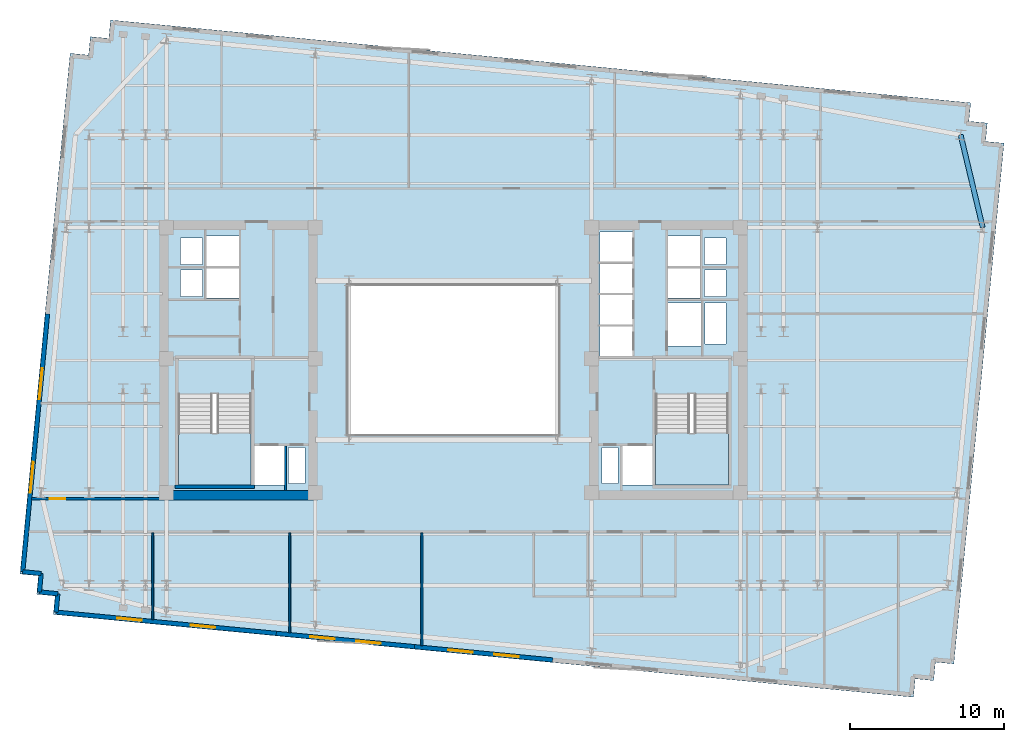
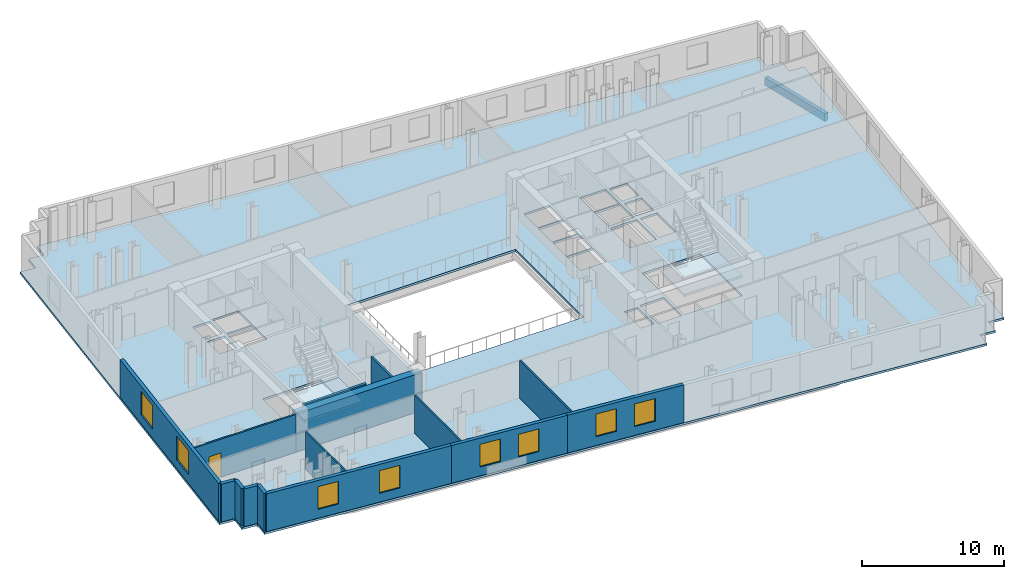
# One storey, part 3 of 9: 15 walls, 8 windows, 3 slabs, 1 beam, 1 door, 9 openings, 2 elements without a shape of their own.
"""IFC4 building model written with IfcOpenShell, lengths in metres."""

from ifc_helpers import new_model, si_unit, direction, frame, frame_2d, origin, origin_2d, place, context, subcontext, project, spatial, polyline, rectangle, outline, extrude, material, layer, layer_set, material_profile, profile_set, type_object, element, fill, aggregate, save


model = new_model("IFC4")

# Units and contexts
model_context = context("Model", 3, precision=1e-05, world=origin(), true_north=direction((0.0, 1.0)))
body_context = subcontext(model_context, "Body", "Model", "MODEL_VIEW")
ifc_project = project(units=[si_unit("LENGTHUNIT", "METRE"), si_unit("AREAUNIT", "SQUARE_METRE"), si_unit("VOLUMEUNIT", "CUBIC_METRE"), si_unit("PLANEANGLEUNIT", "RADIAN"), si_unit("MASSUNIT", "GRAM", prefix="KILO")], contexts=[model_context])

# Site, building, storey
site_placement = place(None, origin())
site = spatial("IfcSite", under=ifc_project, at=site_placement, CompositionType="ELEMENT")
building_placement = place(site_placement, origin())
building = spatial("IfcBuilding", under=site, at=building_placement, Name="Velakula Bourse", CompositionType="ELEMENT")
storey_placement = place(building_placement, frame((0.0, 0.0, 170.75)))
storey = spatial("IfcBuildingStorey", under=building, at=storey_placement, Name="L46", CompositionType="ELEMENT", Elevation=170.75)

# Beam
ifc_material_1 = material(Name="Precast concrete M45 (fck 45 MPa)", Category="concrete")
ifc_material_profile = material_profile(ifc_material_1, rectangle(XDim=0.320068359375, YDim=0.679931640625, at=origin_2d()), Name="Precast concrete M45 (fck 45 MPa)")
ifc_profile_set = profile_set([ifc_material_profile], Name="Precast concrete M45 (fck 45 MPa)")
beam_type = type_object("IfcBeamType", Name="SPN-BRICK-680", PredefinedType="SPANDREL", material=ifc_profile_set)
beam_placement = place(storey_placement, frame((34.30517578125, 8.60009765625, -0.52001953125), z_axis=(-0.232091371601, 0.972693988482, 0.0), x_axis=(-0.972693988482, -0.232091371601, 0.0)))
element("IfcBeam", 1, at=beam_placement, inside=storey, type_object=beam_type, Name="L46 Brick-Faced Precast Spandrel E3-E4", PredefinedType="SPANDREL", context=body_context, shape_type="SweptSolid", body=[
    extrude(rectangle(XDim=0.320068359375, YDim=0.679931640625, at=origin_2d()), origin(), (0.0, 0.0, 1.0), 6.16845703125),
])

# Stair, slab
ifc_material_2 = material(Name="Concrete M45 (fck 45 MPa)", Category="concrete")
stair_type = type_object("IfcStairType", Name="STR-DOG-390", PredefinedType="HALF_TURN_STAIR", material=ifc_material_2)
stair_1_placement = place(storey_placement, origin())
stair_1 = element("IfcStair", 2, at=stair_1_placement, inside=storey, type_object=stair_type, Name="L46 West Core Exit Stair ST-W1", PredefinedType="HALF_TURN_STAIR")
ifc_layer_1 = layer(ifc_material_2, 0.199951171875, Name="Concrete M45 (fck 45 MPa)", Category="concrete")
ifc_layer_set_1 = layer_set([ifc_layer_1], Name="Concrete M45 (fck 45 MPa)")
slab_type_1 = type_object("IfcSlabType", Name="SLB-STAIR-LND-200", PredefinedType="LANDING", material=ifc_layer_set_1)
slab_1_placement = place(storey_placement, frame((0.0, 0.0, 1.52490234375)))
slab_1 = element("IfcSlab", 3, at=slab_1_placement, type_object=slab_type_1, Name="ST-W1 landing 1", PredefinedType="LANDING", context=body_context, shape_type="SweptSolid", body=[
    extrude(outline(polyline([(-17.820068359375, -4.719970703125), (-17.820068359375, -8.10009765625), (-13.10009765625, -8.10009765625), (-13.10009765625, -4.719970703125), (-17.820068359375, -4.719970703125)])), origin(), (0.0, 0.0, 1.0), 0.2001953125),
])
aggregate(stair_1, [slab_1])

stair_2_placement = place(storey_placement, origin())
stair_2 = element("IfcStair", 4, at=stair_2_placement, inside=storey, type_object=stair_type, Name="L46 East Core Exit Stair ST-E1", PredefinedType="HALF_TURN_STAIR")
slab_2_placement = place(storey_placement, frame((0.0, 0.0, 1.52490234375)))
slab_2 = element("IfcSlab", 5, at=slab_2_placement, type_object=slab_type_1, Name="ST-E1 landing 1", PredefinedType="LANDING", context=body_context, shape_type="SweptSolid", body=[
    extrude(outline(polyline([(13.10009765625, -4.719970703125), (13.10009765625, -8.10009765625), (17.820068359375, -8.10009765625), (17.820068359375, -4.719970703125), (13.10009765625, -4.719970703125)])), origin(), (0.0, 0.0, 1.0), 0.2001953125),
])
aggregate(stair_2, [slab_2])

# Slab
ifc_material_3 = material(Name="Concrete M50 (fck 50 MPa)", Category="concrete")
ifc_layer_2 = layer(ifc_material_3, 0.179931640625, Name="Concrete M50 (fck 50 MPa)", Category="concrete")
ifc_layer_set_2 = layer_set([ifc_layer_2], Name="Concrete M50 (fck 50 MPa)")
slab_type_2 = type_object("IfcSlabType", Name="SLB-TWR-180", PredefinedType="FLOOR", material=ifc_layer_set_2)
slab_3_placement = place(storey_placement, frame((0.0, 0.0, -0.179931640625)))
element("IfcSlab", 6, at=slab_3_placement, inside=storey, type_object=slab_type_2, Name="L46 Suspended Structural Floor Slab", PredefinedType="FLOOR", context=body_context, shape_type="SweptSolid", body=[
    extrude(outline(polyline([(-25.92578125, -16.477294921875), (29.81640625, -21.844482421875), (29.931396484375, -20.650146484375), (31.1259765625, -20.76513671875), (31.240966796875, -19.570556640625), (32.435546875, -19.685791015625), (35.6845703125, 14.058349609375), (34.490234375, 14.17333984375), (34.605224609375, 15.36767578125), (33.41064453125, 15.482666015625), (33.525634765625, 16.67724609375), (-22.216552734375, 22.044677734375), (-22.33154296875, 20.85009765625), (-23.52587890625, 20.965087890625), (-23.640869140625, 19.770751953125), (-24.83544921875, 19.8857421875), (-28.084716796875, -13.858154296875), (-26.89013671875, -13.973388671875), (-27.005126953125, -15.167724609375), (-25.810791015625, -15.28271484375), (-25.92578125, -16.477294921875)]), holes=[polyline([(-17.820068359375, -8.10009765625), (-13.10009765625, -8.10009765625), (-13.10009765625, -2.199951171875), (-17.820068359375, -2.199951171875), (-17.820068359375, -8.10009765625)]), polyline([(13.10009765625, -8.10009765625), (17.820068359375, -8.10009765625), (17.820068359375, -2.199951171875), (13.10009765625, -2.199951171875), (13.10009765625, -8.10009765625)]), polyline([(-12.89990234375, -8.10009765625), (-10.949951171875, -8.10009765625), (-10.949951171875, -5.550048828125), (-12.89990234375, -5.550048828125), (-12.89990234375, -8.10009765625)]), polyline([(10.949951171875, -8.10009765625), (12.89990234375, -8.10009765625), (12.89990234375, -5.550048828125), (10.949951171875, -5.550048828125), (10.949951171875, -8.10009765625)]), polyline([(13.89990234375, 0.919921875), (16.050048828125, 0.919921875), (16.050048828125, 3.719970703125), (13.89990234375, 3.719970703125), (13.89990234375, 0.919921875)]), polyline([(-10.679931640625, -7.97998046875), (-9.6201171875, -7.97998046875), (-9.6201171875, -5.669921875), (-10.679931640625, -5.669921875), (-10.679931640625, -7.97998046875)]), polyline([(-17.679931640625, 4.139892578125), (-16.27001953125, 4.139892578125), (-16.27001953125, 5.85009765625), (-17.679931640625, 5.85009765625), (-17.679931640625, 4.139892578125)]), polyline([(-17.679931640625, 6.2099609375), (-16.27001953125, 6.2099609375), (-16.27001953125, 7.919921875), (-17.679931640625, 7.919921875), (-17.679931640625, 6.2099609375)]), polyline([(9.6201171875, -7.97998046875), (10.679931640625, -7.97998046875), (10.679931640625, -5.669921875), (9.6201171875, -5.669921875), (9.6201171875, -7.97998046875)]), polyline([(16.27001953125, 4.139892578125), (17.679931640625, 4.139892578125), (17.679931640625, 5.85009765625), (16.27001953125, 5.85009765625), (16.27001953125, 4.139892578125)]), polyline([(16.27001953125, 6.2099609375), (17.679931640625, 6.2099609375), (17.679931640625, 7.919921875), (16.27001953125, 7.919921875), (16.27001953125, 6.2099609375)]), polyline([(16.320068359375, 1.0400390625), (17.679931640625, 1.0400390625), (17.679931640625, 3.699951171875), (16.320068359375, 3.699951171875), (16.320068359375, 1.0400390625)]), polyline([(9.5, 0.280029296875), (11.60009765625, 0.280029296875), (11.60009765625, 2.199951171875), (9.5, 2.199951171875), (9.5, 0.280029296875)]), polyline([(9.5, 2.31005859375), (11.60009765625, 2.31005859375), (11.60009765625, 4.22998046875), (9.5, 4.22998046875), (9.5, 2.31005859375)]), polyline([(9.5, 4.340087890625), (11.60009765625, 4.340087890625), (11.60009765625, 6.260009765625), (9.5, 6.260009765625), (9.5, 4.340087890625)]), polyline([(9.5, 6.3701171875), (11.60009765625, 6.3701171875), (11.60009765625, 8.2900390625), (9.5, 8.2900390625), (9.5, 6.3701171875)]), polyline([(-16.0, 4.02001953125), (-13.89990234375, 4.02001953125), (-13.89990234375, 5.969970703125), (-16.0, 5.969970703125), (-16.0, 4.02001953125)]), polyline([(-16.0, 6.090087890625), (-13.89990234375, 6.090087890625), (-13.89990234375, 8.0400390625), (-16.0, 8.0400390625), (-16.0, 6.090087890625)]), polyline([(13.89990234375, 4.02001953125), (16.0, 4.02001953125), (16.0, 5.969970703125), (13.89990234375, 5.969970703125), (13.89990234375, 4.02001953125)]), polyline([(13.89990234375, 6.090087890625), (16.0, 6.090087890625), (16.0, 8.0400390625), (13.89990234375, 8.0400390625), (13.89990234375, 6.090087890625)]), polyline([(-6.800048828125, -4.800048828125), (6.800048828125, -4.800048828125), (6.800048828125, 4.800048828125), (-6.800048828125, 4.800048828125), (-6.800048828125, -4.800048828125)])]), origin(), (0.0, 0.0, 1.0), 0.179931640625),
])

# Walls
ifc_layer_3 = layer(ifc_material_3, 0.2099609375, Name="Concrete M50 (fck 50 MPa)", Category="concrete")
ifc_layer_set_3 = layer_set([ifc_layer_3], Name="Concrete M50 (fck 50 MPa)")
wall_type_1 = type_object("IfcWallType", Name="WL-CORE-210", PredefinedType="SHEAR", material=ifc_layer_set_3)
wall_1_placement = place(storey_placement, frame((-18.030029296875, -8.205078125, 0.0), z_axis=(0.0, 0.0, 1.0), x_axis=(1.0, 0.0, 0.0)))
element("IfcWall", 7, at=wall_1_placement, inside=storey, type_object=wall_type_1, Name="L46 Core W Stairwell Shear Wall S", PredefinedType="SHEAR", context=body_context, shape_type="SweptSolid", body=[
    extrude(rectangle(XDim=5.14013671875, YDim=0.2099609375, at=frame_2d((2.570068359375, 0.0))), origin(), (0.0, 0.0, 1.0), 3.27001953125),
])
ifc_material_4 = material(Name="Concrete M70 (fck 70 MPa)", Category="concrete")
ifc_layer_4 = layer(ifc_material_4, 0.60009765625, Name="Concrete M70 (fck 70 MPa)", Category="concrete")
ifc_layer_set_4 = layer_set([ifc_layer_4], Name="Concrete M70 (fck 70 MPa)")
wall_type_2 = type_object("IfcWallType", Name="WL-CORE-600", PredefinedType="SHEAR", material=ifc_layer_set_4)
wall_2_placement = place(storey_placement, frame((-19.050048828125, -8.75, 0.0), z_axis=(0.0, 0.0, 1.0), x_axis=(1.0, 0.0, 0.0)))
element("IfcWall", 8, at=wall_2_placement, inside=storey, type_object=wall_type_2, Name="L46 Core W Shear Wall S", PredefinedType="SHEAR", context=body_context, shape_type="SweptSolid", body=[
    extrude(rectangle(XDim=10.25, YDim=0.60009765625, at=frame_2d((5.125, 0.0))), origin(), (0.0, 0.0, 1.0), 3.27001953125),
])

# Wall, openings, windows
ifc_material_5 = material(Name="Red kilned clay facing brick masonry", Category="masonry")
ifc_layer_5 = layer(ifc_material_5, 0.280029296875, Name="Red kilned clay facing brick masonry", Category="masonry")
ifc_layer_set_5 = layer_set([ifc_layer_5], Name="Red kilned clay facing brick masonry")
wall_type_3 = type_object("IfcWallType", Name="WL-EXT-BRK-280", PredefinedType="STANDARD", material=ifc_layer_set_5)
wall_3_placement = place(storey_placement, frame((-11.47705078125, -17.707763671875, 0.0), z_axis=(0.0, 0.0, 1.0), x_axis=(-0.995395762701, 0.095850276977, 0.0)))
wall_3 = element("IfcWall", 9, at=wall_3_placement, inside=storey, type_object=wall_type_3, Name="L46 S Brick Spandrel Wall B1", PredefinedType="STANDARD", context=body_context, shape_type="SweptSolid", body=[
    extrude(rectangle(XDim=14.340087890625, YDim=0.280029296875, at=frame_2d((7.169921875, 0.0))), origin(), (0.0, 0.0, 1.0), 3.25),
])
opening_1_placement = place(wall_3_placement, frame((3.97998046875, 0.0, 0.760009765625)))
opening_1 = element("IfcOpeningElement", 10, at=opening_1_placement, cuts=wall_3, Name="Opening W-02", PredefinedType="OPENING", context=body_context, shape_type="SweptSolid", body=[
    extrude(rectangle(XDim=1.60009765625, YDim=1.949951171875, at=frame_2d((0.800048828125, 0.97509765625))), frame((0.0, 0.14990234375, 0.0), z_axis=(0.0, -1.0, 0.0), x_axis=(1.0, 0.0, 0.0)), (0.0, 0.0, 1.0), 0.300048828125),
])
opening_2_placement = place(wall_3_placement, frame((8.760009765625, 0.0, 0.760009765625)))
opening_2 = element("IfcOpeningElement", 11, at=opening_2_placement, cuts=wall_3, Name="Opening W-02", PredefinedType="OPENING", context=body_context, shape_type="SweptSolid", body=[
    extrude(rectangle(XDim=1.60009765625, YDim=1.949951171875, at=frame_2d((0.800048828125, 0.97509765625))), frame((0.0, 0.14990234375, 0.0), z_axis=(0.0, -1.0, 0.0), x_axis=(1.0, 0.0, 0.0)), (0.0, 0.0, 1.0), 0.300048828125),
])
ifc_material_6 = material(Name="Double-glazed solar-control Low-E glass", Category="glass")
window_type_1 = type_object("IfcWindowType", Name="WIN-TWR-1600x2100", PartitioningType="SINGLE_PANEL", PredefinedType="WINDOW", material=ifc_material_6)
window_1_placement = place(opening_1_placement, origin())
window_1 = element("IfcWindow", 12, at=window_1_placement, inside=storey, type_object=window_type_1, Name="L46 Deep-Set Recessed Window 1", OverallHeight=1.949951171875, OverallWidth=1.60009765625, PartitioningType="SINGLE_PANEL", PredefinedType="WINDOW", context=body_context, shape_type="SweptSolid", body=[
    extrude(rectangle(XDim=1.60009765625, YDim=1.949951171875, at=frame_2d((0.800048828125, 0.97509765625))), frame((0.0, 0.030029296875, 0.0), z_axis=(0.0, -1.0, 0.0), x_axis=(1.0, 0.0, 0.0)), (0.0, 0.0, 1.0), 0.06005859375),
])
fill(opening_1, window_1)
window_2_placement = place(opening_2_placement, origin())
window_2 = element("IfcWindow", 13, at=window_2_placement, inside=storey, type_object=window_type_1, Name="L46 Deep-Set Recessed Window 2", OverallHeight=1.949951171875, OverallWidth=1.60009765625, PartitioningType="SINGLE_PANEL", PredefinedType="WINDOW", context=body_context, shape_type="SweptSolid", body=[
    extrude(rectangle(XDim=1.60009765625, YDim=1.949951171875, at=frame_2d((0.800048828125, 0.97509765625))), frame((0.0, 0.030029296875, 0.0), z_axis=(0.0, -1.0, 0.0), x_axis=(1.0, 0.0, 0.0)), (0.0, 0.0, 1.0), 0.06005859375),
])
fill(opening_2, window_2)

wall_4_placement = place(storey_placement, frame((-2.5185546875, -18.5703125, 0.0), z_axis=(0.0, 0.0, 1.0), x_axis=(-0.995396794462, 0.09583956164, 0.0)))
wall_4 = element("IfcWall", 14, at=wall_4_placement, inside=storey, type_object=wall_type_3, Name="L46 S Brick Spandrel Wall B2", PredefinedType="STANDARD", context=body_context, shape_type="SweptSolid", body=[
    extrude(rectangle(XDim=9.0, YDim=0.280029296875, at=frame_2d((4.5, 0.0))), origin(), (0.0, 0.0, 1.0), 3.25),
])
opening_3_placement = place(wall_4_placement, frame((2.199951171875, 0.0, 0.760009765625)))
opening_3 = element("IfcOpeningElement", 15, at=opening_3_placement, cuts=wall_4, Name="Opening W-02", PredefinedType="OPENING", context=body_context, shape_type="SweptSolid", body=[
    extrude(rectangle(XDim=1.60009765625, YDim=1.949951171875, at=frame_2d((0.800048828125, 0.97509765625))), frame((0.0, 0.14990234375, 0.0), z_axis=(0.0, -1.0, 0.0), x_axis=(1.0, 0.0, 0.0)), (0.0, 0.0, 1.0), 0.300048828125),
])
opening_4_placement = place(wall_4_placement, frame((5.199951171875, 0.0, 0.760009765625)))
opening_4 = element("IfcOpeningElement", 16, at=opening_4_placement, cuts=wall_4, Name="Opening W-02", PredefinedType="OPENING", context=body_context, shape_type="SweptSolid", body=[
    extrude(rectangle(XDim=1.60009765625, YDim=1.949951171875, at=frame_2d((0.800048828125, 0.97509765625))), frame((0.0, 0.14990234375, 0.0), z_axis=(0.0, -1.0, 0.0), x_axis=(1.0, 0.0, 0.0)), (0.0, 0.0, 1.0), 0.300048828125),
])
window_3_placement = place(opening_3_placement, origin())
window_3 = element("IfcWindow", 17, at=window_3_placement, inside=storey, type_object=window_type_1, Name="L46 Deep-Set Recessed Window 1", OverallHeight=1.949951171875, OverallWidth=1.60009765625, PartitioningType="SINGLE_PANEL", PredefinedType="WINDOW", context=body_context, shape_type="SweptSolid", body=[
    extrude(rectangle(XDim=1.60009765625, YDim=1.949951171875, at=frame_2d((0.800048828125, 0.97509765625))), frame((0.0, 0.030029296875, 0.0), z_axis=(0.0, -1.0, 0.0), x_axis=(1.0, 0.0, 0.0)), (0.0, 0.0, 1.0), 0.06005859375),
])
fill(opening_3, window_3)
window_4_placement = place(opening_4_placement, origin())
window_4 = element("IfcWindow", 18, at=window_4_placement, inside=storey, type_object=window_type_1, Name="L46 Deep-Set Recessed Window 2", OverallHeight=1.949951171875, OverallWidth=1.60009765625, PartitioningType="SINGLE_PANEL", PredefinedType="WINDOW", context=body_context, shape_type="SweptSolid", body=[
    extrude(rectangle(XDim=1.60009765625, YDim=1.949951171875, at=frame_2d((0.800048828125, 0.97509765625))), frame((0.0, 0.030029296875, 0.0), z_axis=(0.0, -1.0, 0.0), x_axis=(1.0, 0.0, 0.0)), (0.0, 0.0, 1.0), 0.06005859375),
])
fill(opening_4, window_4)

wall_5_placement = place(storey_placement, frame((6.43994140625, -19.432861328125, 0.0), z_axis=(0.0, 0.0, 1.0), x_axis=(-0.995396794462, 0.09583956164, 0.0)))
wall_5 = element("IfcWall", 19, at=wall_5_placement, inside=storey, type_object=wall_type_3, Name="L46 S Brick Spandrel Wall B3", PredefinedType="STANDARD", context=body_context, shape_type="SweptSolid", body=[
    extrude(rectangle(XDim=9.0, YDim=0.280029296875, at=frame_2d((4.5, 0.0))), origin(), (0.0, 0.0, 1.0), 3.25),
])
opening_5_placement = place(wall_5_placement, frame((2.199951171875, 0.0, 0.760009765625)))
opening_5 = element("IfcOpeningElement", 20, at=opening_5_placement, cuts=wall_5, Name="Opening W-02", PredefinedType="OPENING", context=body_context, shape_type="SweptSolid", body=[
    extrude(rectangle(XDim=1.60009765625, YDim=1.949951171875, at=frame_2d((0.800048828125, 0.97509765625))), frame((0.0, 0.14990234375, 0.0), z_axis=(0.0, -1.0, 0.0), x_axis=(1.0, 0.0, 0.0)), (0.0, 0.0, 1.0), 0.300048828125),
])
opening_6_placement = place(wall_5_placement, frame((5.199951171875, 0.0, 0.760009765625)))
opening_6 = element("IfcOpeningElement", 21, at=opening_6_placement, cuts=wall_5, Name="Opening W-02", PredefinedType="OPENING", context=body_context, shape_type="SweptSolid", body=[
    extrude(rectangle(XDim=1.60009765625, YDim=1.949951171875, at=frame_2d((0.800048828125, 0.97509765625))), frame((0.0, 0.14990234375, 0.0), z_axis=(0.0, -1.0, 0.0), x_axis=(1.0, 0.0, 0.0)), (0.0, 0.0, 1.0), 0.300048828125),
])
window_5_placement = place(opening_5_placement, origin())
window_5 = element("IfcWindow", 22, at=window_5_placement, inside=storey, type_object=window_type_1, Name="L46 Deep-Set Recessed Window 1", OverallHeight=1.949951171875, OverallWidth=1.60009765625, PartitioningType="SINGLE_PANEL", PredefinedType="WINDOW", context=body_context, shape_type="SweptSolid", body=[
    extrude(rectangle(XDim=1.60009765625, YDim=1.949951171875, at=frame_2d((0.800048828125, 0.97509765625))), frame((0.0, 0.030029296875, 0.0), z_axis=(0.0, -1.0, 0.0), x_axis=(1.0, 0.0, 0.0)), (0.0, 0.0, 1.0), 0.06005859375),
])
fill(opening_5, window_5)
window_6_placement = place(opening_6_placement, origin())
window_6 = element("IfcWindow", 23, at=window_6_placement, inside=storey, type_object=window_type_1, Name="L46 Deep-Set Recessed Window 2", OverallHeight=1.949951171875, OverallWidth=1.60009765625, PartitioningType="SINGLE_PANEL", PredefinedType="WINDOW", context=body_context, shape_type="SweptSolid", body=[
    extrude(rectangle(XDim=1.60009765625, YDim=1.949951171875, at=frame_2d((0.800048828125, 0.97509765625))), frame((0.0, 0.030029296875, 0.0), z_axis=(0.0, -1.0, 0.0), x_axis=(1.0, 0.0, 0.0)), (0.0, 0.0, 1.0), 0.06005859375),
])
fill(opening_6, window_6)

wall_6_placement = place(storey_placement, frame((-27.909912109375, -13.71435546875, 0.0), z_axis=(0.0, 0.0, 1.0), x_axis=(0.095839027265, 0.995396845913, 0.0)))
wall_6 = element("IfcWall", 24, at=wall_6_placement, inside=storey, type_object=wall_type_3, Name="L46 W Brick End Wall W1", PredefinedType="STANDARD", context=body_context, shape_type="SweptSolid", body=[
    extrude(rectangle(XDim=16.7900390625, YDim=0.280029296875, at=frame_2d((8.39501953125, 0.0))), origin(), (0.0, 0.0, 1.0), 3.25),
])
opening_7_placement = place(wall_6_placement, frame((5.146728515625, 0.0, 0.760009765625)))
opening_7 = element("IfcOpeningElement", 25, at=opening_7_placement, cuts=wall_6, Name="Opening W-05", PredefinedType="OPENING", context=body_context, shape_type="SweptSolid", body=[
    extrude(rectangle(XDim=2.0, YDim=2.050048828125, at=frame_2d((1.0, 1.02490234375))), frame((0.0, 0.14990234375, 0.0), z_axis=(0.0, -1.0, 0.0), x_axis=(1.0, 0.0, 0.0)), (0.0, 0.0, 1.0), 0.300048828125),
])
opening_8_placement = place(wall_6_placement, frame((11.243408203125, 0.0, 0.760009765625)))
opening_8 = element("IfcOpeningElement", 26, at=opening_8_placement, cuts=wall_6, Name="Opening W-05", PredefinedType="OPENING", context=body_context, shape_type="SweptSolid", body=[
    extrude(rectangle(XDim=2.0, YDim=2.050048828125, at=frame_2d((1.0, 1.02490234375))), frame((0.0, 0.14990234375, 0.0), z_axis=(0.0, -1.0, 0.0), x_axis=(1.0, 0.0, 0.0)), (0.0, 0.0, 1.0), 0.300048828125),
])
window_type_2 = type_object("IfcWindowType", Name="WIN-TWR-2000x2200", PartitioningType="DOUBLE_PANEL_VERTICAL", PredefinedType="WINDOW", material=ifc_material_6)
window_7_placement = place(opening_7_placement, origin())
window_7 = element("IfcWindow", 27, at=window_7_placement, inside=storey, type_object=window_type_2, Name="L46 Deep-Set Recessed Window 1", OverallHeight=2.050048828125, OverallWidth=2.0, PartitioningType="DOUBLE_PANEL_VERTICAL", PredefinedType="WINDOW", context=body_context, shape_type="SweptSolid", body=[
    extrude(rectangle(XDim=2.0, YDim=2.050048828125, at=frame_2d((1.0, 1.02490234375))), frame((0.0, 0.030029296875, 0.0), z_axis=(0.0, -1.0, 0.0), x_axis=(1.0, 0.0, 0.0)), (0.0, 0.0, 1.0), 0.06005859375),
])
fill(opening_7, window_7)
window_8_placement = place(opening_8_placement, origin())
window_8 = element("IfcWindow", 28, at=window_8_placement, inside=storey, type_object=window_type_2, Name="L46 Deep-Set Recessed Window 2", OverallHeight=2.050048828125, OverallWidth=2.0, PartitioningType="DOUBLE_PANEL_VERTICAL", PredefinedType="WINDOW", context=body_context, shape_type="SweptSolid", body=[
    extrude(rectangle(XDim=2.0, YDim=2.050048828125, at=frame_2d((1.0, 1.02490234375))), frame((0.0, 0.030029296875, 0.0), z_axis=(0.0, -1.0, 0.0), x_axis=(1.0, 0.0, 0.0)), (0.0, 0.0, 1.0), 0.06005859375),
])
fill(opening_8, window_8)

# Walls
wall_7_placement = place(storey_placement, frame((-27.909912109375, -13.71435546875, 0.0), z_axis=(0.0, 0.0, 1.0), x_axis=(0.995397091755, -0.095836473879, 0.0)))
element("IfcWall", 29, at=wall_7_placement, inside=storey, type_object=wall_type_3, Name="L46 Serrated Corner Brick Wall SW-1", PredefinedType="STANDARD", context=body_context, shape_type="SweptSolid", body=[
    extrude(rectangle(XDim=1.199951171875, YDim=0.280029296875, at=frame_2d((0.60009765625, 0.0))), origin(), (0.0, 0.0, 1.0), 3.25),
])
for number, where, z_axis, x_axis, name in (
    (30, (-26.715576171875, -13.829345703125, 0.0), (0.0, 0.0, 1.0), (-0.095817067274, -0.995398960025, 0.0), "L46 Serrated Corner Brick Wall SW-2"),
    (31, (-26.83056640625, -15.02392578125, 0.0), (0.0, 0.0, 1.0), (0.995398960025, -0.095817067274, 0.0), "L46 Serrated Corner Brick Wall SW-3"),
):
    element("IfcWall", number, at=place(storey_placement, frame(where, z_axis=z_axis, x_axis=x_axis)), inside=storey, type_object=wall_type_3, Name=name, PredefinedType="STANDARD", context=body_context, shape_type="SweptSolid", body=[
        extrude(rectangle(XDim=1.2001953125, YDim=0.280029296875, at=frame_2d((0.60009765625, 0.0))), origin(), (0.0, 0.0, 1.0), 3.25),
    ])
wall_8_placement = place(storey_placement, frame((-25.635986328125, -15.138916015625, 0.0), z_axis=(0.0, 0.0, 1.0), x_axis=(-0.096038073607, -0.995377661201, 0.0)))
element("IfcWall", 32, at=wall_8_placement, inside=storey, type_object=wall_type_3, Name="L46 Serrated Corner Brick Wall SW-4", PredefinedType="STANDARD", context=body_context, shape_type="SweptSolid", body=[
    extrude(rectangle(XDim=1.199951171875, YDim=0.280029296875, at=frame_2d((0.60009765625, 0.0))), origin(), (0.0, 0.0, 1.0), 3.25),
])
ifc_material_7 = material(Name="Fire-rated double-layer gypsum drywall partition", Category="gypsum")
ifc_layer_6 = layer(ifc_material_7, 0.1201171875, Name="Fire-rated double-layer gypsum drywall partition", Category="gypsum")
ifc_layer_set_6 = layer_set([ifc_layer_6], Name="Fire-rated double-layer gypsum drywall partition")
wall_type_4 = type_object("IfcWallType", Name="WL-PART-120", PredefinedType="STANDARD", material=ifc_layer_set_6)
wall_9_placement = place(storey_placement, frame((-19.485107421875, -16.816162109375, 0.0), z_axis=(0.0, 0.0, 1.0), x_axis=(0.0, 1.0, 0.0)))
element("IfcWall", 33, at=wall_9_placement, inside=storey, type_object=wall_type_4, Name="L46 Interior Partition WL-INT-L46-SL-D5", PredefinedType="STANDARD", context=body_context, shape_type="SweptSolid", body=[
    extrude(rectangle(XDim=5.626220703125, YDim=0.1201171875, at=frame_2d((2.81298828125, 0.0))), origin(), (0.0, 0.0, 1.0), 3.25),
])
wall_10_placement = place(storey_placement, frame((-10.59912109375, -17.671630859375, 0.0), z_axis=(0.0, 0.0, 1.0), x_axis=(0.0, 1.0, 0.0)))
element("IfcWall", 34, at=wall_10_placement, inside=storey, type_object=wall_type_4, Name="L46 Interior Partition WL-INT-L46-SL-D6", PredefinedType="STANDARD", context=body_context, shape_type="SweptSolid", body=[
    extrude(rectangle(XDim=6.481689453125, YDim=0.1201171875, at=frame_2d((3.24072265625, 0.0))), origin(), (0.0, 0.0, 1.0), 3.25),
])
wall_11_placement = place(storey_placement, frame((-2.041015625, -18.495849609375, 0.0), z_axis=(0.0, 0.0, 1.0), x_axis=(0.0, 1.0, 0.0)))
element("IfcWall", 35, at=wall_11_placement, inside=storey, type_object=wall_type_4, Name="L46 Interior Partition WL-INT-L46-SL-D7", PredefinedType="STANDARD", context=body_context, shape_type="SweptSolid", body=[
    extrude(rectangle(XDim=7.305908203125, YDim=0.1201171875, at=frame_2d((3.65283203125, 0.0))), origin(), (0.0, 0.0, 1.0), 3.25),
])

# Wall, opening, door
ifc_layer_7 = layer(ifc_material_7, 0.139892578125, Name="Fire-rated double-layer gypsum drywall partition", Category="gypsum")
ifc_layer_set_7 = layer_set([ifc_layer_7], Name="Fire-rated double-layer gypsum drywall partition")
wall_type_5 = type_object("IfcWallType", Name="WL-PART-140", PredefinedType="STANDARD", material=ifc_layer_set_7)
wall_12_placement = place(storey_placement, frame((-27.33349609375, -8.97998046875, 0.0), z_axis=(0.0, 0.0, 1.0), x_axis=(1.0, 0.0, 0.0)))
wall_12 = element("IfcWall", 36, at=wall_12_placement, inside=storey, type_object=wall_type_5, Name="L46 Interior Partition WL-INT-L46-W-SC", PredefinedType="STANDARD", context=body_context, shape_type="SweptSolid", body=[
    extrude(rectangle(XDim=8.283447265625, YDim=0.139892578125, at=frame_2d((4.1416015625, 0.0))), origin(), (0.0, 0.0, 1.0), 3.25),
])
opening_9_placement = place(wall_12_placement, frame((1.17724609375, 0.0, 0.0)))
opening_9 = element("IfcOpeningElement", 37, at=opening_9_placement, cuts=wall_12, Name="Opening D-OF1", PredefinedType="OPENING", context=body_context, shape_type="SweptSolid", body=[
    extrude(rectangle(XDim=1.0, YDim=2.080078125, at=frame_2d((0.5, 1.0400390625))), frame((0.0, 0.079833984375, 0.0), z_axis=(0.0, -1.0, 0.0), x_axis=(1.0, 0.0, 0.0)), (0.0, 0.0, 1.0), 0.159912109375),
])
ifc_material_8 = material(Name="Fire-rated hardwood flush architectural door", Category="wood")
door_type = type_object("IfcDoorType", Name="DR-OFF-1000", OperationType="NOTDEFINED", PredefinedType="DOOR", material=ifc_material_8)
door_placement = place(opening_9_placement, origin())
door = element("IfcDoor", 38, at=door_placement, inside=storey, type_object=door_type, Name="L46 Interest-Rate Swaps Workspace Door", OperationType="SINGLE_SWING_RIGHT", OverallHeight=2.080078125, OverallWidth=1.0, PredefinedType="DOOR", context=body_context, shape_type="SweptSolid", body=[
    extrude(rectangle(XDim=1.0, YDim=2.080078125, at=frame_2d((0.5, 1.0400390625))), frame((0.0, 0.02490234375, 0.0), z_axis=(0.0, -1.0, 0.0), x_axis=(1.0, 0.0, 0.0)), (0.0, 0.0, 1.0), 0.050048828125),
])
fill(opening_9, door)

# Wall
ifc_material_9 = material(Name="Autoclaved aerated concrete blockwork masonry", Category="masonry")
ifc_layer_8 = layer(ifc_material_9, 0.14990234375, Name="Autoclaved aerated concrete blockwork masonry", Category="masonry")
ifc_layer_set_8 = layer_set([ifc_layer_8], Name="Autoclaved aerated concrete blockwork masonry")
wall_type_6 = type_object("IfcWallType", Name="WL-SHAFT-150", PredefinedType="STANDARD", material=ifc_layer_set_8)
wall_13_placement = place(storey_placement, frame((-10.875, -8.449951171875, 0.0), z_axis=(0.0, 0.0, 1.0), x_axis=(0.0, 1.0, 0.0)))
element("IfcWall", 39, at=wall_13_placement, inside=storey, type_object=wall_type_6, Name="L46 Interior Partition WL-CRW-L46-FR-DIV", PredefinedType="STANDARD", context=body_context, shape_type="SweptSolid", body=[
    extrude(rectangle(XDim=2.89990234375, YDim=0.14990234375, at=frame_2d((1.449951171875, 0.0))), origin(), (0.0, 0.0, 1.0), 3.25),
])

save(model, "model.ifc")
